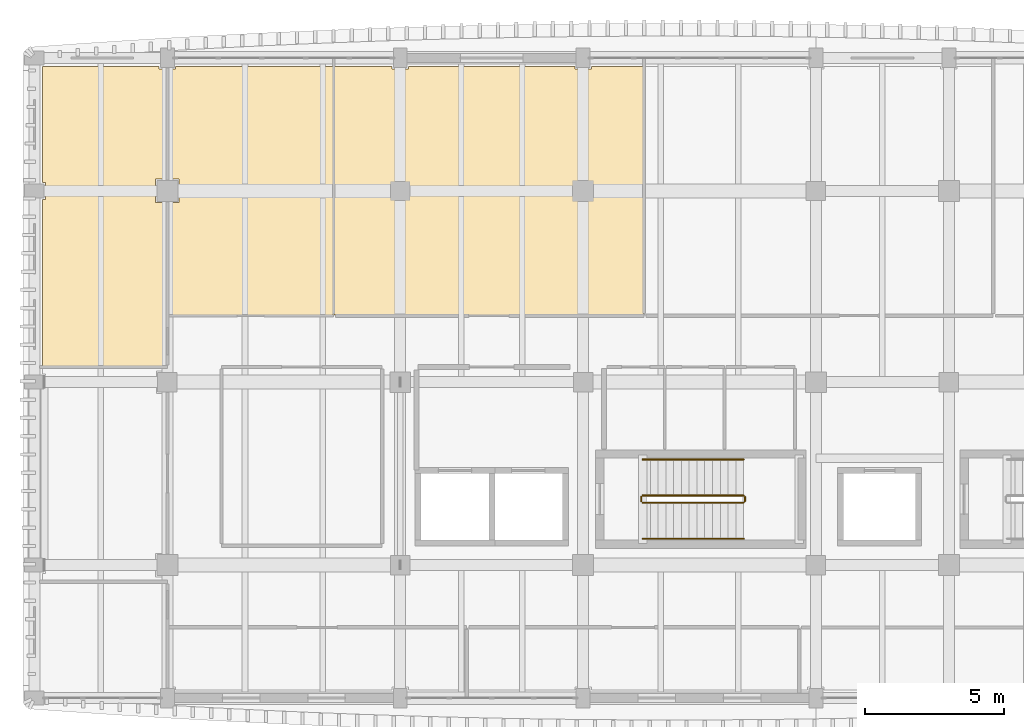
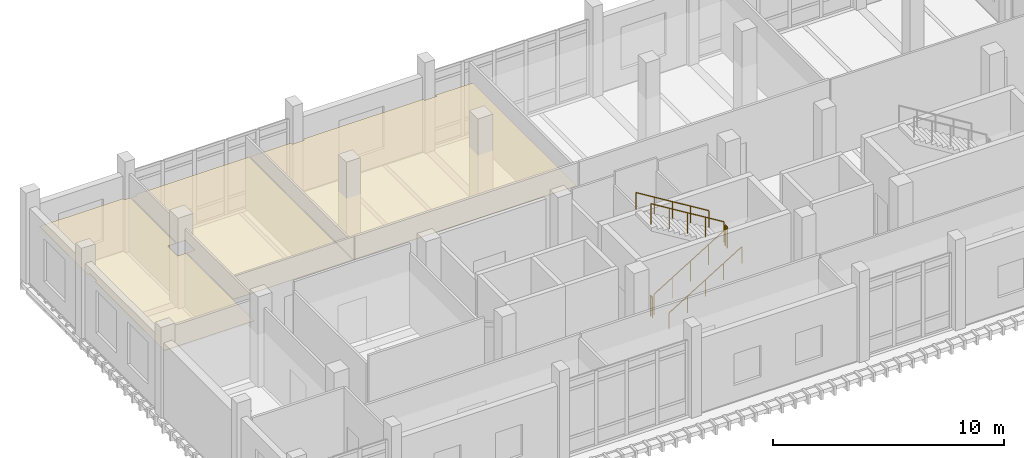
# One storey, part 62 of 76: 6 railings, 3 coverings.
"""IFC4 building model written with IfcOpenShell, lengths in metres."""

from ifc_helpers import new_model, si_unit, direction, frame, origin, origin_2d, place, context, subcontext, project, spatial, polyline, circle, outline, extrude, material, layer, layer_set, type_object, element, save


model = new_model("IFC4")

# Units and contexts
model_context = context("Model", 3, precision=1e-05, world=origin(), true_north=direction((0.0, 1.0)))
body_context = subcontext(model_context, "Body", "Model", "MODEL_VIEW")
ifc_project = project(units=[si_unit("LENGTHUNIT", "METRE"), si_unit("AREAUNIT", "SQUARE_METRE"), si_unit("VOLUMEUNIT", "CUBIC_METRE"), si_unit("PLANEANGLEUNIT", "RADIAN"), si_unit("MASSUNIT", "GRAM", prefix="KILO")], contexts=[model_context])

# Site, building, storey
site_placement = place(None, origin())
site = spatial("IfcSite", under=ifc_project, at=site_placement, CompositionType="ELEMENT")
building_placement = place(site_placement, origin())
building = spatial("IfcBuilding", under=site, at=building_placement, Name="Dornvale Research Institute", CompositionType="ELEMENT")
storey_placement = place(building_placement, frame((0.0, 0.0, 15.0)))
storey = spatial("IfcBuildingStorey", under=building, at=storey_placement, Name="L03", CompositionType="ELEMENT", Elevation=15.0)

# Coverings
ifc_material_1 = material(Name="Mineral-Fibre Acoustic Lay-In Ceiling Tile System")
ifc_layer_1 = layer(ifc_material_1, 0.02001953125)
ifc_layer_set_1 = layer_set([ifc_layer_1], Name="Mineral-Fibre Acoustic Lay-In Ceiling Tile System")
covering_type = type_object("IfcCoveringType", Name="Covering_Acoustic_Ceiling", PredefinedType="CEILING", material=ifc_layer_set_1)
covering_1_placement = place(storey_placement, frame((0.0, 0.0, 2.85009765625)))
element("IfcCovering", 1, at=covering_1_placement, inside=storey, type_object=covering_type, Name="L03 Faculty Office Suite L03 suspended ceiling", PredefinedType="CEILING", context=body_context, shape_type="SweptSolid", body=[
    extrude(outline(polyline([(4.780029296875, 121.699951171875), (4.780029296875, 117.72509765625), (4.375, 117.72509765625), (4.375, 116.875), (4.780029296875, 116.875), (4.780029296875, 110.969970703125), (0.300048828125, 110.969970703125), (0.300048828125, 117.0), (0.39990234375, 117.0), (0.39990234375, 117.60009765625), (0.300048828125, 117.60009765625), (0.300048828125, 121.800048828125), (0.39990234375, 121.800048828125), (4.5, 121.800048828125), (4.5, 121.699951171875), (4.780029296875, 121.699951171875)])), origin(), (0.0, 0.0, 1.0), 0.02001953125),
])
covering_2_placement = place(storey_placement, frame((0.0, 0.0, 2.85009765625)))
element("IfcCovering", 2, at=covering_2_placement, inside=storey, type_object=covering_type, Name="L03 Faculty Office Suite L03 suspended ceiling", PredefinedType="CEILING", context=body_context, shape_type="SweptSolid", body=[
    extrude(outline(polyline([(4.820068359375, 121.699951171875), (5.10009765625, 121.699951171875), (5.10009765625, 121.800048828125), (10.780029296875, 121.800048828125), (10.780029296875, 112.820068359375), (4.820068359375, 112.820068359375), (4.820068359375, 116.875), (5.22509765625, 116.875), (5.22509765625, 117.72509765625), (4.820068359375, 117.72509765625), (4.820068359375, 121.699951171875)])), origin(), (0.0, 0.0, 1.0), 0.02001953125),
])
covering_3_placement = place(storey_placement, frame((0.0, 0.0, 2.85009765625)))
element("IfcCovering", 3, at=covering_3_placement, inside=storey, type_object=covering_type, Name="L03 Quantitative Ecology Computational Lab suspended ceiling", PredefinedType="CEILING", context=body_context, shape_type="SweptSolid", body=[
    extrude(outline(polyline([(21.97998046875, 112.820068359375), (10.820068359375, 112.820068359375), (10.820068359375, 121.800048828125), (12.89990234375, 121.800048828125), (12.89990234375, 121.699951171875), (13.5, 121.699951171875), (13.5, 121.800048828125), (19.5, 121.800048828125), (19.5, 121.699951171875), (20.10009765625, 121.699951171875), (20.10009765625, 121.800048828125), (21.97998046875, 121.800048828125), (21.97998046875, 112.820068359375)])), origin(), (0.0, 0.0, 1.0), 0.02001953125),
])

# Railings
ifc_material_2 = material(Name="Galvanized Painted Tubular Steel Stair Rail", Category="steel")
ifc_layer_2 = layer(ifc_material_2, 0.050048828125)
ifc_layer_set_2 = layer_set([ifc_layer_2], Name="Galvanized Painted Tubular Steel Stair Rail")
railing_type_1 = type_object("IfcRailingType", Name="Railing_Stair_Guard_1100", PredefinedType="GUARDRAIL", material=ifc_layer_set_2)
railing_1_placement = place(storey_placement, frame((21.949951171875, 106.050048828125, 0.17138671875)))
element("IfcRailing", 4, at=railing_1_placement, inside=storey, type_object=railing_type_1, Name="L03 ST-1 stair guard 1", PredefinedType="GUARDRAIL", context=body_context, shape_type="SweptSolid", body=[
    extrude(circle(Radius=0.02392578125, at=origin_2d()), frame((0.0, 0.0, 1.076171875), z_axis=(0.852865859571, 0.0, 0.52213008492), x_axis=(0.0, 1.0, 0.0)), (0.0, 0.0, 1.0), 4.26806640625),
    extrude(circle(Radius=0.02099609375, at=origin_2d()), origin(), (0.0, 0.0, 1.0), 1.052001953125),
    extrude(circle(Radius=0.02099609375, at=origin_2d()), frame((0.91015625, 0.0, 0.55712890625)), (0.0, 0.0, 1.0), 1.052001953125),
    extrude(circle(Radius=0.02099609375, at=origin_2d()), frame((1.820068359375, 0.0, 1.1142578125)), (0.0, 0.0, 1.0), 1.052001953125),
    extrude(circle(Radius=0.02099609375, at=origin_2d()), frame((2.72998046875, 0.0, 1.67138671875)), (0.0, 0.0, 1.0), 1.052001953125),
    extrude(circle(Radius=0.02099609375, at=origin_2d()), frame((3.64013671875, 0.0, 2.228515625)), (0.0, 0.0, 1.0), 1.052001953125),
])
railing_2_placement = place(storey_placement, frame((25.639892578125, 106.10009765625, 2.39990234375)))
element("IfcRailing", 5, at=railing_2_placement, inside=storey, type_object=railing_type_1, Name="L03 ST-1 stair guard 2", PredefinedType="GUARDRAIL", context=body_context, shape_type="SweptSolid", body=[
    extrude(circle(Radius=0.02392578125, at=origin_2d()), frame((0.0, 0.0, 1.076171875), z_axis=(0.0, 1.0, 0.0), x_axis=(-1.0, 0.0, 0.0)), (0.0, 0.0, 1.0), 0.159912109375),
    extrude(circle(Radius=0.02099609375, at=origin_2d()), origin(), (0.0, 0.0, 1.0), 1.052001953125),
    extrude(circle(Radius=0.02099609375, at=origin_2d()), frame((0.0, 0.159912109375, 0.0)), (0.0, 0.0, 1.0), 1.052001953125),
])
railing_3_placement = place(storey_placement, frame((25.590087890625, 106.31005859375, 2.571533203125)))
element("IfcRailing", 6, at=railing_3_placement, inside=storey, type_object=railing_type_1, Name="L03 ST-1 stair guard 3", PredefinedType="GUARDRAIL", context=body_context, shape_type="SweptSolid", body=[
    extrude(circle(Radius=0.02392578125, at=origin_2d()), frame((0.0, 0.0, 1.076171875), z_axis=(-0.852865859571, 0.0, 0.52213008492), x_axis=(0.0, -1.0, 0.0)), (0.0, 0.0, 1.0), 4.26806640625),
    extrude(circle(Radius=0.02099609375, at=origin_2d()), origin(), (0.0, 0.0, 1.0), 1.052001953125),
    extrude(circle(Radius=0.02099609375, at=origin_2d()), frame((-0.91015625, 0.0, 0.55712890625)), (0.0, 0.0, 1.0), 1.052001953125),
    extrude(circle(Radius=0.02099609375, at=origin_2d()), frame((-1.820068359375, 0.0, 1.1142578125)), (0.0, 0.0, 1.0), 1.052001953125),
    extrude(circle(Radius=0.02099609375, at=origin_2d()), frame((-2.72998046875, 0.0, 1.67138671875)), (0.0, 0.0, 1.0), 1.052001953125),
    extrude(circle(Radius=0.02099609375, at=origin_2d()), frame((-3.64013671875, 0.0, 2.228515625)), (0.0, 0.0, 1.0), 1.052001953125),
])
railing_4_placement = place(storey_placement, frame((21.89990234375, 106.10009765625, 0.0)))
element("IfcRailing", 7, at=railing_4_placement, inside=storey, type_object=railing_type_1, Name="L03 ST-1 stair guard 4", PredefinedType="GUARDRAIL", context=body_context, shape_type="SweptSolid", body=[
    extrude(circle(Radius=0.02392578125, at=origin_2d()), frame((0.0, 0.0, 1.076171875), z_axis=(0.0, 1.0, 0.0), x_axis=(-1.0, 0.0, 0.0)), (0.0, 0.0, 1.0), 0.159912109375),
    extrude(circle(Radius=0.02099609375, at=origin_2d()), origin(), (0.0, 0.0, 1.0), 1.052001953125),
    extrude(circle(Radius=0.02099609375, at=origin_2d()), frame((0.0, 0.159912109375, 0.0)), (0.0, 0.0, 1.0), 1.052001953125),
])
ifc_material_3 = material(Name="Galvanized Painted Tubular Steel Stair Rail", Category="steel")
ifc_layer_3 = layer(ifc_material_3, 0.044921875)
ifc_layer_set_3 = layer_set([ifc_layer_3], Name="Galvanized Painted Tubular Steel Stair Rail")
railing_type_2 = type_object("IfcRailingType", Name="Railing_Stair_Handrail_900", PredefinedType="HANDRAIL", material=ifc_layer_set_3)
railing_5_placement = place(storey_placement, frame((21.949951171875, 104.75, 0.17138671875)))
element("IfcRailing", 8, at=railing_5_placement, inside=storey, type_object=railing_type_2, Name="L03 ST-1 stair handrail 1", PredefinedType="HANDRAIL", context=body_context, shape_type="SweptSolid", body=[
    extrude(circle(Radius=0.02392578125, at=origin_2d()), frame((0.0, 0.0, 0.8759765625), z_axis=(0.852865859571, 0.0, 0.52213008492), x_axis=(0.0, 1.0, 0.0)), (0.0, 0.0, 1.0), 4.26806640625),
    extrude(circle(Radius=0.02099609375, at=origin_2d()), origin(), (0.0, 0.0, 1.0), 0.851806640625),
    extrude(circle(Radius=0.02099609375, at=origin_2d()), frame((0.91015625, 0.0, 0.55712890625)), (0.0, 0.0, 1.0), 0.851806640625),
    extrude(circle(Radius=0.02099609375, at=origin_2d()), frame((1.820068359375, 0.0, 1.1142578125)), (0.0, 0.0, 1.0), 0.851806640625),
    extrude(circle(Radius=0.02099609375, at=origin_2d()), frame((2.72998046875, 0.0, 1.67138671875)), (0.0, 0.0, 1.0), 0.851806640625),
    extrude(circle(Radius=0.02099609375, at=origin_2d()), frame((3.64013671875, 0.0, 2.228515625)), (0.0, 0.0, 1.0), 0.851806640625),
])
railing_6_placement = place(storey_placement, frame((25.590087890625, 107.610107421875, 2.571533203125)))
element("IfcRailing", 9, at=railing_6_placement, inside=storey, type_object=railing_type_2, Name="L03 ST-1 stair handrail 2", PredefinedType="HANDRAIL", context=body_context, shape_type="SweptSolid", body=[
    extrude(circle(Radius=0.02392578125, at=origin_2d()), frame((0.0, 0.0, 0.8759765625), z_axis=(-0.852865859571, 0.0, 0.52213008492), x_axis=(0.0, -1.0, 0.0)), (0.0, 0.0, 1.0), 4.26806640625),
    extrude(circle(Radius=0.02099609375, at=origin_2d()), origin(), (0.0, 0.0, 1.0), 0.851806640625),
    extrude(circle(Radius=0.02099609375, at=origin_2d()), frame((-0.91015625, 0.0, 0.55712890625)), (0.0, 0.0, 1.0), 0.851806640625),
    extrude(circle(Radius=0.02099609375, at=origin_2d()), frame((-1.820068359375, 0.0, 1.1142578125)), (0.0, 0.0, 1.0), 0.851806640625),
    extrude(circle(Radius=0.02099609375, at=origin_2d()), frame((-2.72998046875, 0.0, 1.67138671875)), (0.0, 0.0, 1.0), 0.851806640625),
    extrude(circle(Radius=0.02099609375, at=origin_2d()), frame((-3.64013671875, 0.0, 2.228515625)), (0.0, 0.0, 1.0), 0.851806640625),
])

save(model, "model.ifc")
